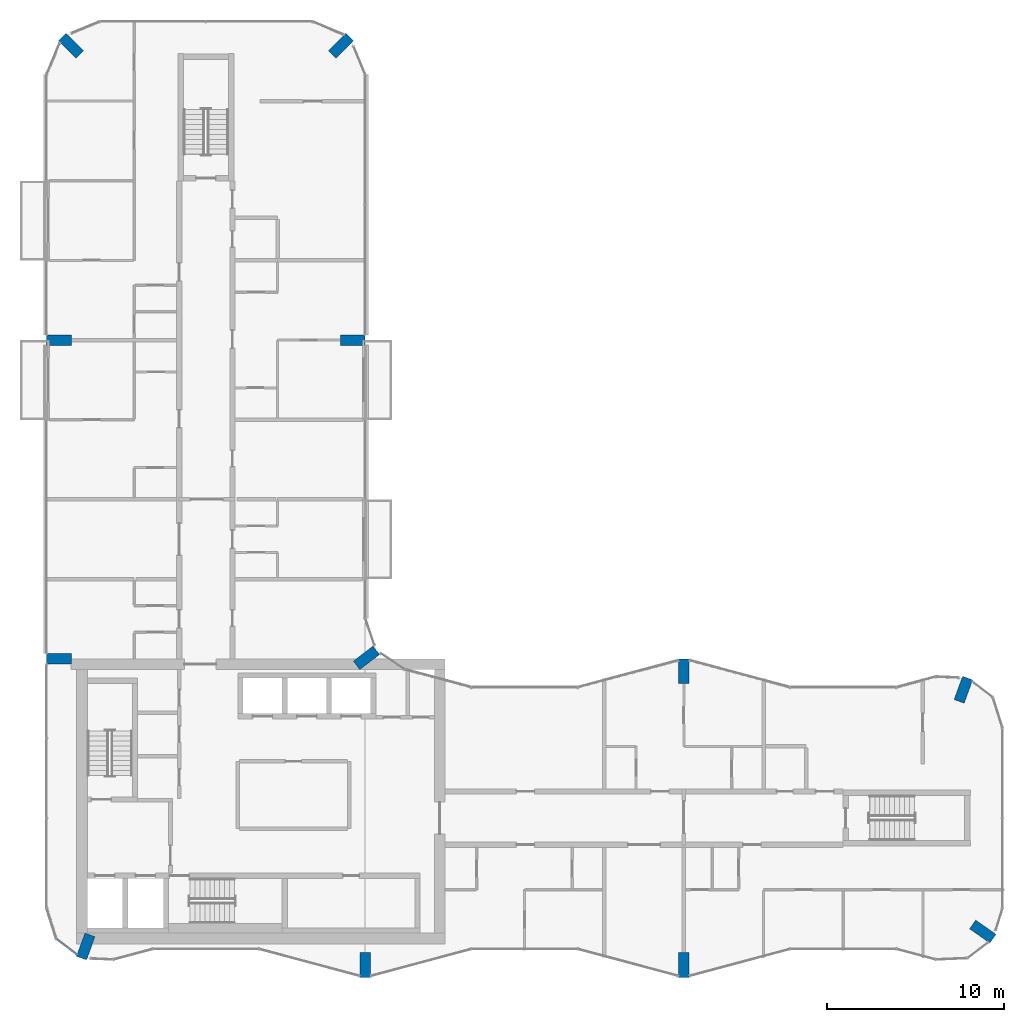
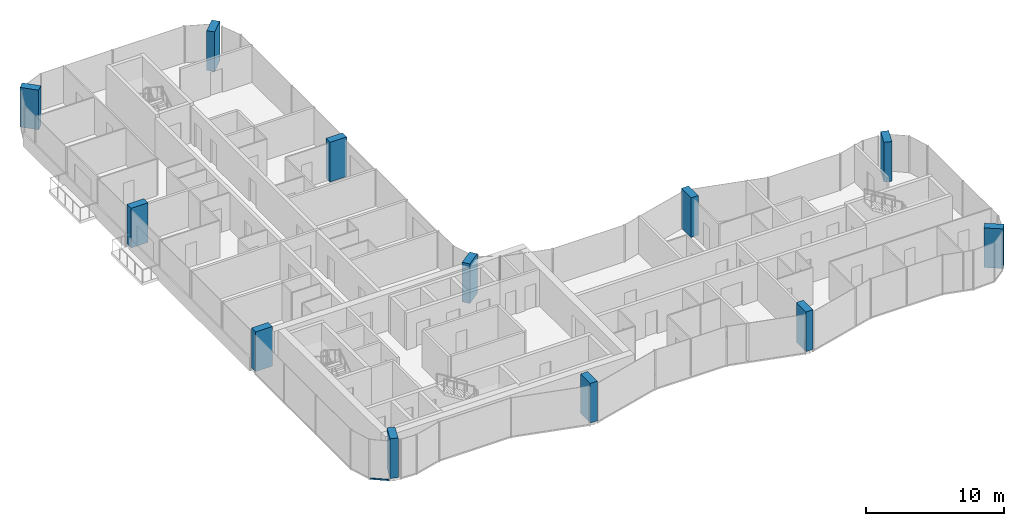
# One storey, part 1 of 15: 12 columns, 1 member, 1 element without a shape of its own.
"""IFC4 building model written with IfcOpenShell, lengths in metres."""

from ifc_helpers import new_model, si_unit, direction, frame, origin, origin_2d, place, context, subcontext, project, spatial, rectangle, extrude, material, layer, layer_set, material_profile, profile_set, type_object, element, aggregate, save


model = new_model("IFC4")

# Units and contexts
model_context = context("Model", 3, precision=1e-05, world=origin(), true_north=direction((0.0, 1.0)))
body_context = subcontext(model_context, "Body", "Model", "MODEL_VIEW")
ifc_project = project(units=[si_unit("LENGTHUNIT", "METRE"), si_unit("AREAUNIT", "SQUARE_METRE"), si_unit("VOLUMEUNIT", "CUBIC_METRE"), si_unit("PLANEANGLEUNIT", "RADIAN"), si_unit("MASSUNIT", "GRAM", prefix="KILO")], contexts=[model_context])

# Site, building, storey
site_placement = place(None, origin())
site = spatial("IfcSite", under=ifc_project, at=site_placement, CompositionType="ELEMENT")
building_placement = place(site_placement, origin())
building = spatial("IfcBuilding", under=site, at=building_placement, Name="Plateau Cross Towers", CompositionType="ELEMENT")
storey_placement = place(building_placement, frame((0.0, 0.0, 149.89990234375)))
storey = spatial("IfcBuildingStorey", under=building, at=storey_placement, Name="L38", CompositionType="ELEMENT", Elevation=149.89990234375)

# Columns
ifc_material_1 = material(Name="Concrete C60/75", Category="concrete")
ifc_material_profile_1 = material_profile(ifc_material_1, rectangle(XDim=0.60009765625, YDim=1.39990234375, at=origin_2d()), Name="RC 600x1400")
ifc_profile_set_1 = profile_set([ifc_material_profile_1], Name="Concrete C60/75")
column_type = type_object("IfcColumnType", Name="Fin pier column RC 600x1400", PredefinedType="COLUMN", material=ifc_profile_set_1)
for number, where, z_axis, x_axis, name in (
    (1, (18.0, 0.699951171875, 0.0), (0.0, 0.0, 1.0), (1.0, 0.0, 0.0), "PR1 L38"),
    (2, (36.0, 0.699951171875, 0.0), (0.0, 0.0, 1.0), (1.0, 0.0, 0.0), "PR2 L38"),
    (3, (52.884033203125, 2.590087890625, 0.0), (0.0, 0.0, 1.0), (0.573542637991, 0.819175709117, 0.0), "PR3 L38"),
    (4, (51.786865234375, 16.251953125, 0.0), (0.0, 0.0, 1.0), (-0.939664280925, 0.342097996418, 0.0), "PR4 L38"),
    (5, (36.0, 17.300048828125, 0.0), (0.0, 0.0, 1.0), (1.0, 0.0, 0.0), "PR5 L38"),
    (6, (18.064697265625, 18.049560546875, 0.0), (0.0, 0.0, 1.0), (-0.608810846443, 0.793315418515, 0.0), "PR6 L38"),
    (7, (17.300048828125, 36.0, 0.0), (0.0, 0.0, 1.0), (0.0, 1.0, 0.0), "PR7 L38"),
    (8, (16.62646484375, 52.62646484375, 0.0), (0.0, 0.0, 1.0), (-0.707106781187, 0.707106781187, 0.0), "PR8 L38"),
    (9, (1.37353515625, 52.62646484375, 0.0), (0.0, 0.0, 1.0), (0.707106781187, 0.707106781187, 0.0), "PR9 L38"),
    (10, (0.699951171875, 36.0, 0.0), (0.0, 0.0, 1.0), (0.0, 1.0, 0.0), "PR10 L38"),
    (11, (0.699951171875, 18.0, 0.0), (0.0, 0.0, 1.0), (0.0, 1.0, 0.0), "PR11 L38"),
    (12, (2.213134765625, 1.748046875, 0.0), (0.0, 0.0, 1.0), (-0.939664280925, 0.342097996418, 0.0), "PR12 L38"),
):
    element("IfcColumn", number, at=place(storey_placement, frame(where, z_axis=z_axis, x_axis=x_axis)), inside=storey, type_object=column_type, Name=name, PredefinedType="COLUMN", context=body_context, shape_type="SweptSolid", body=[
        extrude(rectangle(XDim=0.60009765625, YDim=1.39990234375, at=origin_2d()), origin(), (0.0, 0.0, 1.0), 3.5),
    ])

# Curtain wall, member
ifc_material_2 = material(Name="Dark low-iron glass", Category="glass")
ifc_layer = layer(ifc_material_2, 0.239990234375)
ifc_layer_set = layer_set([ifc_layer], Name="Dark low-iron glass")
curtain_wall_type = type_object("IfcCurtainWallType", Name="Curtain wall flush unitised CW-B", PredefinedType="NOTDEFINED", material=ifc_layer_set)
curtain_wall_placement = place(storey_placement, origin())
curtain_wall = element("IfcCurtainWall", 13, at=curtain_wall_placement, inside=storey, type_object=curtain_wall_type, Name="ENV/A/L38/A5_22", PredefinedType="NOTDEFINED")
ifc_material_3 = material(Name="Black anodised aluminium", Category="aluminium")
ifc_material_profile_2 = material_profile(ifc_material_3, rectangle(XDim=0.10009765625, YDim=0.1201171875, at=origin_2d()), Name="TRANSOM 100x120")
ifc_profile_set_2 = profile_set([ifc_material_profile_2], Name="Black anodised aluminium")
member_type = type_object("IfcMemberType", Name="Transom 100x120 flush unitised", PredefinedType="USERDEFINED", material=ifc_profile_set_2)
member_placement = place(storey_placement, frame((0.54248046875, 2.1884765625, -0.18994140625), z_axis=(0.793320508571, -0.608804213751, 0.0), x_axis=(0.608804213751, 0.793320508571, 0.0)))
member = element("IfcMember", 14, at=member_placement, type_object=member_type, Name="CW-B transom", ObjectType="TRANSOM", PredefinedType="USERDEFINED", context=body_context, shape_type="SweptSolid", body=[
    extrude(rectangle(XDim=0.10009765625, YDim=0.1201171875, at=origin_2d()), origin(), (0.0, 0.0, 1.0), 1.471435546875),
])
aggregate(curtain_wall, [member])

save(model, "model.ifc")
